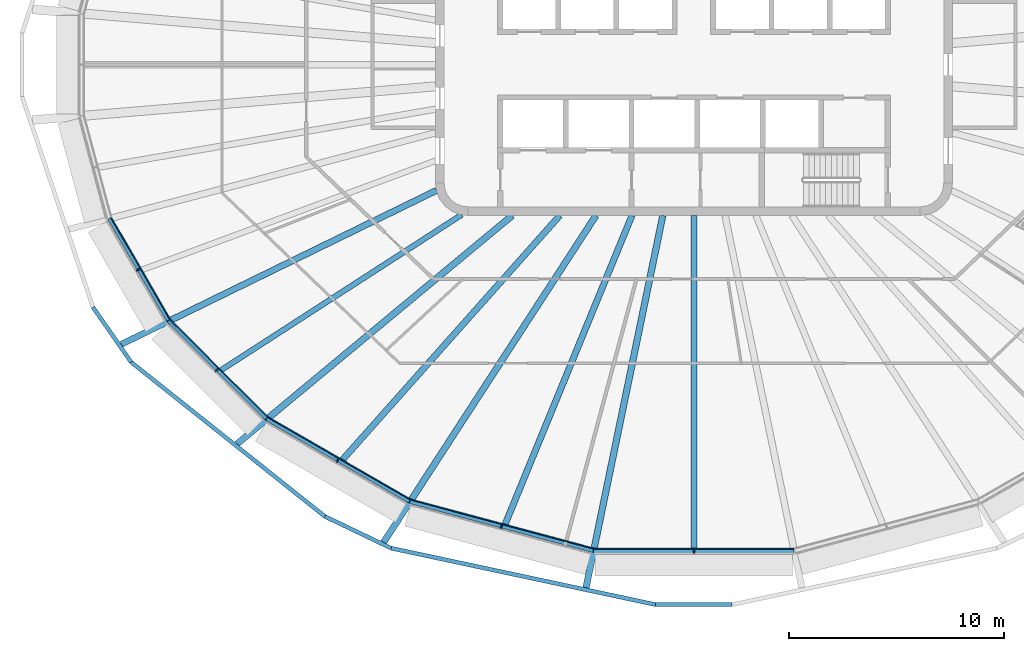
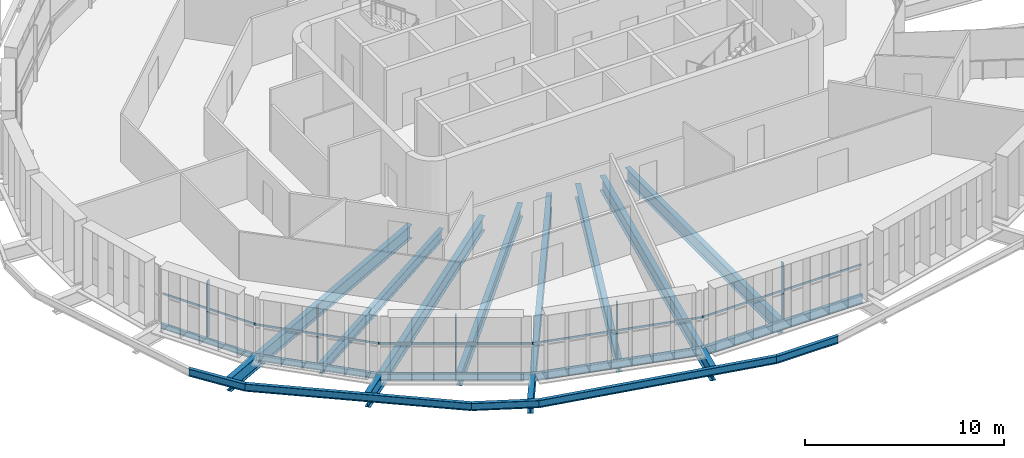
# One storey, part 1 of 19: 18 beams, 10 members, 5 elements without a shape of their own.
"""IFC4 building model written with IfcOpenShell, lengths in metres."""

from ifc_helpers import new_model, si_unit, direction, frame, origin, origin_2d, place, context, subcontext, project, spatial, rectangle, i_section, extrude, material, layer, layer_set, material_profile, profile_set, type_object, element, aggregate, save


model = new_model("IFC4")

# Units and contexts
model_context = context("Model", 3, precision=1e-05, world=origin(), true_north=direction((0.0, 1.0)))
body_context = subcontext(model_context, "Body", "Model", "MODEL_VIEW")
ifc_project = project(units=[si_unit("LENGTHUNIT", "METRE"), si_unit("AREAUNIT", "SQUARE_METRE"), si_unit("VOLUMEUNIT", "CUBIC_METRE"), si_unit("PLANEANGLEUNIT", "RADIAN"), si_unit("MASSUNIT", "GRAM", prefix="KILO")], contexts=[model_context])

# Site, building, storey
site_placement = place(None, origin())
site = spatial("IfcSite", under=ifc_project, at=site_placement, CompositionType="ELEMENT")
building_placement = place(site_placement, origin())
building = spatial("IfcBuilding", under=site, at=building_placement, Name="Sahrelin Media Tower", CompositionType="ELEMENT")
storey_placement = place(building_placement, frame((0.0, 0.0, 287.0)))
storey = spatial("IfcBuildingStorey", under=building, at=storey_placement, Name="L63", CompositionType="ELEMENT", Elevation=287.0)

# Beams
ifc_material_1 = material(Name="Steel S355", Category="steel")
ifc_material_profile_1 = material_profile(ifc_material_1, i_section(OverallWidth=0.1650390625, OverallDepth=0.303466796875, WebThickness=0.006103515625, FlangeThickness=0.01025390625, FilletRadius=0.0087890625, at=origin_2d()), Name="UB 305x165x40")
ifc_profile_set_1 = profile_set([ifc_material_profile_1], Name="Steel S355")
beam_type_1 = type_object("IfcBeamType", Name="Edge beam EB2", PredefinedType="BEAM", material=ifc_profile_set_1)
beam_1_placement = place(storey_placement, frame((-24.40625, -11.86865234375, -0.3017578125), z_axis=(-0.500030911274, 0.866007556416, 0.0), x_axis=(-0.866007556416, -0.500030911274, 0.0)))
element("IfcBeam", 1, at=beam_1_placement, inside=storey, type_object=beam_type_1, Name="Edge beam L63-08", PredefinedType="BEAM", context=body_context, shape_type="SweptSolid", body=[
    extrude(i_section(OverallWidth=0.1650390625, OverallDepth=0.303466796875, WebThickness=0.006103515625, FlangeThickness=0.01025390625, FilletRadius=0.0087890625, at=origin_2d()), origin(), (0.0, 0.0, 1.0), 5.458251953125),
])
ifc_material_profile_2 = material_profile(ifc_material_1, i_section(OverallWidth=0.17138671875, OverallDepth=0.35498046875, WebThickness=0.00732421875, FlangeThickness=0.011474609375, FilletRadius=0.01025390625, at=origin_2d()), Name="UB 356x171x51")
ifc_profile_set_2 = profile_set([ifc_material_profile_2], Name="Steel S355")
beam_type_2 = type_object("IfcBeamType", Name="Edge beam EB3", PredefinedType="BEAM", material=ifc_profile_set_2)
beam_2_placement = place(storey_placement, frame((-19.8583984375, -16.422119140625, -0.327392578125), z_axis=(-0.707106781187, 0.707106781187, 0.0), x_axis=(-0.707106781187, -0.707106781187, 0.0)))
element("IfcBeam", 2, at=beam_2_placement, inside=storey, type_object=beam_type_2, Name="Edge beam L63-07", PredefinedType="BEAM", context=body_context, shape_type="SweptSolid", body=[
    extrude(i_section(OverallWidth=0.17138671875, OverallDepth=0.35498046875, WebThickness=0.00732421875, FlangeThickness=0.011474609375, FilletRadius=0.01025390625, at=origin_2d()), origin(), (0.0, 0.0, 1.0), 6.4072265625),
])
ifc_material_profile_3 = material_profile(ifc_material_1, i_section(OverallWidth=0.177978515625, OverallDepth=0.406494140625, WebThickness=0.0078125, FlangeThickness=0.0126953125, FilletRadius=0.01025390625, at=origin_2d()), Name="UB 406x178x60")
ifc_profile_set_3 = profile_set([ifc_material_profile_3], Name="Steel S355")
beam_type_3 = type_object("IfcBeamType", Name="Edge beam EB4", PredefinedType="BEAM", material=ifc_profile_set_3)
beam_3_placement = place(storey_placement, frame((-13.214111328125, -20.262451171875, -0.353271484375), z_axis=(-0.866029782078, 0.499992416496, 0.0), x_axis=(-0.499992416496, -0.866029782078, 0.0)))
element("IfcBeam", 3, at=beam_3_placement, inside=storey, type_object=beam_type_3, Name="Edge beam L63-06", PredefinedType="BEAM", context=body_context, shape_type="SweptSolid", body=[
    extrude(i_section(OverallWidth=0.177978515625, OverallDepth=0.406494140625, WebThickness=0.0078125, FlangeThickness=0.0126953125, FilletRadius=0.01025390625, at=origin_2d()), origin(), (0.0, 0.0, 1.0), 7.6455078125),
])
ifc_material_profile_4 = material_profile(ifc_material_1, i_section(OverallWidth=0.1904296875, OverallDepth=0.45703125, WebThickness=0.009033203125, FlangeThickness=0.014404296875, FilletRadius=0.01025390625, at=origin_2d()), Name="UB 457x191x74")
ifc_profile_set_4 = profile_set([ifc_material_profile_4], Name="Steel S355")
beam_type_4 = type_object("IfcBeamType", Name="Edge beam EB5", PredefinedType="BEAM", material=ifc_profile_set_4)
beam_4_placement = place(storey_placement, frame((-4.679931640625, -22.552978515625, -0.37841796875), z_axis=(-0.965927388996, 0.258813212932, 0.0), x_axis=(-0.258813212932, -0.965927388996, 0.0)))
element("IfcBeam", 4, at=beam_4_placement, inside=storey, type_object=beam_type_4, Name="Edge beam L63-05", PredefinedType="BEAM", context=body_context, shape_type="SweptSolid", body=[
    extrude(i_section(OverallWidth=0.1904296875, OverallDepth=0.45703125, WebThickness=0.009033203125, FlangeThickness=0.014404296875, FilletRadius=0.01025390625, at=origin_2d()), origin(), (0.0, 0.0, 1.0), 8.8076171875),
])
ifc_material_profile_5 = material_profile(ifc_material_1, i_section(OverallWidth=0.208740234375, OverallDepth=0.5283203125, WebThickness=0.009521484375, FlangeThickness=0.01318359375, FilletRadius=0.0126953125, at=origin_2d()), Name="UB 533x210x82")
ifc_profile_set_5 = profile_set([ifc_material_profile_5], Name="Steel S355")
beam_type_5 = type_object("IfcBeamType", Name="Edge beam EB6", PredefinedType="BEAM", material=ifc_profile_set_5)
beam_5_placement = place(storey_placement, frame((4.6513671875, -22.556884765625, -0.4140625), z_axis=(-1.0, 0.0, 0.0), x_axis=(0.0, -1.0, 0.0)))
element("IfcBeam", 5, at=beam_5_placement, inside=storey, type_object=beam_type_5, Name="Edge beam L63-04", PredefinedType="BEAM", context=body_context, shape_type="SweptSolid", body=[
    extrude(i_section(OverallWidth=0.208740234375, OverallDepth=0.5283203125, WebThickness=0.009521484375, FlangeThickness=0.01318359375, FilletRadius=0.0126953125, at=origin_2d()), origin(), (0.0, 0.0, 1.0), 9.302734375),
])

# Curtain wall, member
ifc_material_2 = material(Name="Champagne anodised aluminium 6063-T6", Category="aluminium")
ifc_layer = layer(ifc_material_2, 0.14990234375)
ifc_layer_set = layer_set([ifc_layer], Name="Tower ribbon curtain wall")
curtain_wall_type = type_object("IfcCurtainWallType", Name="Tower ribbon curtain wall", PredefinedType="NOTDEFINED", material=ifc_layer_set)
curtain_wall_1_placement = place(storey_placement, frame((-25.900634765625, -9.580078125, 0.0), z_axis=(0.0, 0.0, 1.0), x_axis=(1.0, 0.0, 0.0)))
curtain_wall_1 = element("IfcCurtainWall", 6, at=curtain_wall_1_placement, inside=storey, type_object=curtain_wall_type, Name="L63:CW:L63-14", PredefinedType="NOTDEFINED")
ifc_material_profile_6 = material_profile(ifc_material_2, rectangle(XDim=0.06005859375, YDim=0.199951171875, at=origin_2d()), Name="Mullion 60x200")
ifc_profile_set_6 = profile_set([ifc_material_profile_6], Name="Champagne anodised aluminium 6063-T6")
member_type_1 = type_object("IfcMemberType", Name="Mullion 60x200 CW1C", PredefinedType="MULLION", material=ifc_profile_set_6)
member_1_placement = place(storey_placement, frame((-25.796875, -9.520263671875, 0.0), z_axis=(0.0, 0.0, 1.0), x_axis=(0.500006045986, -0.866021913105, 0.0)))
member_1 = element("IfcMember", 7, at=member_1_placement, type_object=member_type_1, Name="L63:CWM:L63-14", PredefinedType="MULLION", context=body_context, shape_type="SweptSolid", body=[
    extrude(rectangle(XDim=0.06005859375, YDim=0.199951171875, at=origin_2d()), origin(), (0.0, 0.0, 1.0), 3.448486328125),
])

curtain_wall_2_placement = place(storey_placement, frame((-22.2294921875, -14.2626953125, 0.0), z_axis=(0.0, 0.0, 1.0), x_axis=(1.0, 0.0, 0.0)))
curtain_wall_2 = element("IfcCurtainWall", 8, at=curtain_wall_2_placement, inside=storey, type_object=curtain_wall_type, Name="L63:CW:L63-15", PredefinedType="NOTDEFINED")
member_2_placement = place(storey_placement, frame((-22.144775390625, -14.177978515625, 0.0), z_axis=(0.0, 0.0, 1.0), x_axis=(0.707099376343, -0.707114185953, 0.0)))
member_2 = element("IfcMember", 9, at=member_2_placement, type_object=member_type_1, Name="L63:CWM:L63-15", PredefinedType="MULLION", context=body_context, shape_type="SweptSolid", body=[
    extrude(rectangle(XDim=0.06005859375, YDim=0.199951171875, at=origin_2d()), origin(), (0.0, 0.0, 1.0), 3.448486328125),
])

curtain_wall_3_placement = place(storey_placement, frame((-16.599853515625, -18.48095703125, 0.0), z_axis=(0.0, 0.0, 1.0), x_axis=(1.0, 0.0, 0.0)))
curtain_wall_3 = element("IfcCurtainWall", 10, at=curtain_wall_3_placement, inside=storey, type_object=curtain_wall_type, Name="L63:CW:L63-16", PredefinedType="NOTDEFINED")
member_3_placement = place(storey_placement, frame((-16.539794921875, -18.376953125, 0.0), z_axis=(0.0, 0.0, 1.0), x_axis=(0.866025403784, -0.5, 0.0)))
member_3 = element("IfcMember", 11, at=member_3_placement, type_object=member_type_1, Name="L63:CWM:L63-16", PredefinedType="MULLION", context=body_context, shape_type="SweptSolid", body=[
    extrude(rectangle(XDim=0.06005859375, YDim=0.199951171875, at=origin_2d()), origin(), (0.0, 0.0, 1.0), 3.448486328125),
])

curtain_wall_4_placement = place(storey_placement, frame((-8.972412109375, -21.55810546875, 0.0), z_axis=(0.0, 0.0, 1.0), x_axis=(1.0, 0.0, 0.0)))
curtain_wall_4 = element("IfcCurtainWall", 12, at=curtain_wall_4_placement, inside=storey, type_object=curtain_wall_type, Name="L63:CW:L63-17", PredefinedType="NOTDEFINED")
member_4_placement = place(storey_placement, frame((-8.94140625, -21.442138671875, 0.0), z_axis=(0.0, 0.0, 1.0), x_axis=(0.965927181449, -0.258813987523, 0.0)))
member_4 = element("IfcMember", 13, at=member_4_placement, type_object=member_type_1, Name="L63:CWM:L63-17", PredefinedType="MULLION", context=body_context, shape_type="SweptSolid", body=[
    extrude(rectangle(XDim=0.06005859375, YDim=0.199951171875, at=origin_2d()), origin(), (0.0, 0.0, 1.0), 3.448486328125),
])

curtain_wall_5_placement = place(storey_placement, frame((0.0, -22.706787109375, 0.0), z_axis=(0.0, 0.0, 1.0), x_axis=(1.0, 0.0, 0.0)))
curtain_wall_5 = element("IfcCurtainWall", 14, at=curtain_wall_5_placement, inside=storey, type_object=curtain_wall_type, Name="L63:CW:L63-18", PredefinedType="NOTDEFINED")
member_5_placement = place(storey_placement, frame((0.0, -22.5869140625, 0.0), z_axis=(0.0, 0.0, 1.0), x_axis=(1.0, 0.0, 0.0)))
member_5 = element("IfcMember", 15, at=member_5_placement, type_object=member_type_1, Name="L63:CWM:L63-18", PredefinedType="MULLION", context=body_context, shape_type="SweptSolid", body=[
    extrude(rectangle(XDim=0.06005859375, YDim=0.199951171875, at=origin_2d()), origin(), (0.0, 0.0, 1.0), 3.448486328125),
])

# Beams
ifc_material_profile_7 = material_profile(ifc_material_1, i_section(OverallWidth=0.291748046875, OverallDepth=0.8349609375, WebThickness=0.013916015625, FlangeThickness=0.018798828125, FilletRadius=0.017822265625, at=origin_2d()), Name="UB 838x292x176")
ifc_profile_set_7 = profile_set([ifc_material_profile_7], Name="Steel S355")
beam_type_6 = type_object("IfcBeamType", Name="Radial primary beam PB10", PredefinedType="BEAM", material=ifc_profile_set_7)
beam_6_placement = place(storey_placement, frame((-11.95556640625, -5.838134765625, -0.5673828125), z_axis=(-0.898580717158, -0.438808266504, 0.0), x_axis=(0.438808266504, -0.898580717158, 0.0)))
element("IfcBeam", 16, at=beam_6_placement, inside=storey, type_object=beam_type_6, Name="Radial beam L63-15", PredefinedType="BEAM", context=body_context, shape_type="SweptSolid", body=[
    extrude(i_section(OverallWidth=0.291748046875, OverallDepth=0.8349609375, WebThickness=0.013916015625, FlangeThickness=0.018798828125, FilletRadius=0.017822265625, at=origin_2d()), origin(), (0.0, 0.0, 1.0), 16.280517578125),
])
ifc_material_profile_8 = material_profile(ifc_material_1, i_section(OverallWidth=0.30322265625, OverallDepth=0.903076171875, WebThickness=0.01513671875, FlangeThickness=0.020263671875, FilletRadius=0.01904296875, at=origin_2d()), Name="UB 914x305x201")
ifc_profile_set_8 = profile_set([ifc_material_profile_8], Name="Steel S355")
beam_type_7 = type_object("IfcBeamType", Name="Radial primary beam PB11", PredefinedType="BEAM", material=ifc_profile_set_8)
beam_7_placement = place(storey_placement, frame((-8.4326171875, -7.0, -0.6015625), z_axis=(-0.769442063394, -0.638716612498, 0.0), x_axis=(0.638716612498, -0.769442063394, 0.0)))
element("IfcBeam", 17, at=beam_7_placement, inside=storey, type_object=beam_type_7, Name="Radial beam L63-16", PredefinedType="BEAM", context=body_context, shape_type="SweptSolid", body=[
    extrude(i_section(OverallWidth=0.30322265625, OverallDepth=0.903076171875, WebThickness=0.01513671875, FlangeThickness=0.020263671875, FilletRadius=0.01904296875, at=origin_2d()), origin(), (0.0, 0.0, 1.0), 16.602783203125),
])
beam_8_placement = place(storey_placement, frame((-4.547607421875, -7.0, -0.6015625), z_axis=(-0.544800537229, -0.83856566507, 0.0), x_axis=(0.83856566507, -0.544800537229, 0.0)))
element("IfcBeam", 18, at=beam_8_placement, inside=storey, type_object=beam_type_7, Name="Radial beam L63-17", PredefinedType="BEAM", context=body_context, shape_type="SweptSolid", body=[
    extrude(i_section(OverallWidth=0.30322265625, OverallDepth=0.903076171875, WebThickness=0.01513671875, FlangeThickness=0.020263671875, FilletRadius=0.01904296875, at=origin_2d()), origin(), (0.0, 0.0, 1.0), 18.094970703125),
])
beam_9_placement = place(storey_placement, frame((-1.444580078125, -7.0, -0.6015625), z_axis=(-0.202083944473, -0.979368204194, 0.0), x_axis=(0.979368204194, -0.202083944473, 0.0)))
element("IfcBeam", 19, at=beam_9_placement, inside=storey, type_object=beam_type_7, Name="Radial beam L63-18", PredefinedType="BEAM", context=body_context, shape_type="SweptSolid", body=[
    extrude(i_section(OverallWidth=0.30322265625, OverallDepth=0.903076171875, WebThickness=0.01513671875, FlangeThickness=0.020263671875, FilletRadius=0.01904296875, at=origin_2d()), origin(), (0.0, 0.0, 1.0), 17.643310546875),
])
ifc_material_profile_9 = material_profile(ifc_material_1, i_section(OverallWidth=0.291748046875, OverallDepth=0.8349609375, WebThickness=0.013916015625, FlangeThickness=0.018798828125, FilletRadius=0.017822265625, at=origin_2d()), Name="UB 838x292x176")
ifc_profile_set_9 = profile_set([ifc_material_profile_9], Name="Steel S355")
beam_type_8 = type_object("IfcBeamType", Name="Radial secondary beam SB10", PredefinedType="BEAM", material=ifc_profile_set_9)
beam_10_placement = place(storey_placement, frame((-6.227294921875, -7.0, -0.5673828125), z_axis=(-0.664674753745, -0.747132834062, 0.0), x_axis=(0.747132834062, -0.664674753745, 0.0)))
element("IfcBeam", 20, at=beam_10_placement, inside=storey, type_object=beam_type_8, Name="Secondary beam L63-15", PredefinedType="BEAM", context=body_context, shape_type="SweptSolid", body=[
    extrude(i_section(OverallWidth=0.291748046875, OverallDepth=0.8349609375, WebThickness=0.013916015625, FlangeThickness=0.018798828125, FilletRadius=0.017822265625, at=origin_2d()), origin(), (0.0, 0.0, 1.0), 15.20361328125),
])
beam_11_placement = place(storey_placement, frame((-2.8759765625, -7.0, -0.5673828125), z_axis=(-0.380009216923, -0.924982699867, 0.0), x_axis=(0.924982699867, -0.380009216923, 0.0)))
element("IfcBeam", 21, at=beam_11_placement, inside=storey, type_object=beam_type_8, Name="Secondary beam L63-16", PredefinedType="BEAM", context=body_context, shape_type="SweptSolid", body=[
    extrude(i_section(OverallWidth=0.291748046875, OverallDepth=0.8349609375, WebThickness=0.013916015625, FlangeThickness=0.018798828125, FilletRadius=0.017822265625, at=origin_2d()), origin(), (0.0, 0.0, 1.0), 15.521728515625),
])
beam_12_placement = place(storey_placement, frame((0.0, -7.0, -0.5673828125), z_axis=(0.0, -1.0, 0.0), x_axis=(1.0, 0.0, 0.0)))
element("IfcBeam", 22, at=beam_12_placement, inside=storey, type_object=beam_type_8, Name="Secondary beam L63-17", PredefinedType="BEAM", context=body_context, shape_type="SweptSolid", body=[
    extrude(i_section(OverallWidth=0.291748046875, OverallDepth=0.8349609375, WebThickness=0.013916015625, FlangeThickness=0.018798828125, FilletRadius=0.017822265625, at=origin_2d()), origin(), (0.0, 0.0, 1.0), 15.452392578125),
])
ifc_material_profile_10 = material_profile(ifc_material_1, i_section(OverallWidth=0.2529296875, OverallDepth=0.677978515625, WebThickness=0.01171875, FlangeThickness=0.01611328125, FilletRadius=0.01513671875, at=origin_2d()), Name="UB 686x254x125")
ifc_profile_set_10 = profile_set([ifc_material_profile_10], Name="Steel S355")
beam_type_9 = type_object("IfcBeamType", Name="Radial secondary beam SB8", PredefinedType="BEAM", material=ifc_profile_set_10)
beam_13_placement = place(storey_placement, frame((-10.779296875, -6.963134765625, -0.489013671875), z_axis=(-0.839980030841, -0.542617312467, 0.0), x_axis=(0.542617312467, -0.839980030841, 0.0)))
element("IfcBeam", 23, at=beam_13_placement, inside=storey, type_object=beam_type_9, Name="Secondary beam L63-14", PredefinedType="BEAM", context=body_context, shape_type="SweptSolid", body=[
    extrude(i_section(OverallWidth=0.2529296875, OverallDepth=0.677978515625, WebThickness=0.01171875, FlangeThickness=0.01611328125, FilletRadius=0.01513671875, at=origin_2d()), origin(), (0.0, 0.0, 1.0), 13.3203125),
])
ifc_material_profile_11 = material_profile(ifc_material_1, i_section(OverallWidth=0.1904296875, OverallDepth=0.45703125, WebThickness=0.009033203125, FlangeThickness=0.014404296875, FilletRadius=0.01025390625, at=origin_2d()), Name="UB 457x191x74")
ifc_profile_set_11 = profile_set([ifc_material_profile_11], Name="Steel S355")
beam_type_10 = type_object("IfcBeamType", Name="Tie chord TC5", PredefinedType="BEAM", material=ifc_profile_set_11)
beam_14_placement = place(storey_placement, frame((-27.8994140625, -11.257080078125, -0.37841796875), z_axis=(0.570618018354, -0.821215609404, 0.0), x_axis=(0.821215609404, 0.570618018354, 0.0)))
element("IfcBeam", 24, at=beam_14_placement, inside=storey, type_object=beam_type_10, Name="Tie chord L63-14", PredefinedType="BEAM", context=body_context, shape_type="SweptSolid", body=[
    extrude(i_section(OverallWidth=0.1904296875, OverallDepth=0.45703125, WebThickness=0.009033203125, FlangeThickness=0.014404296875, FilletRadius=0.01025390625, at=origin_2d()), origin(), (0.0, 0.0, 1.0), 3.10888671875),
])
beam_15_placement = place(storey_placement, frame((-26.12548828125, -13.81005859375, -0.37841796875), z_axis=(0.782271520819, -0.622937611415, 0.0), x_axis=(0.622937611415, 0.782271520819, 0.0)))
element("IfcBeam", 25, at=beam_15_placement, inside=storey, type_object=beam_type_10, Name="Tie chord L63-15", PredefinedType="BEAM", context=body_context, shape_type="SweptSolid", body=[
    extrude(i_section(OverallWidth=0.1904296875, OverallDepth=0.45703125, WebThickness=0.009033203125, FlangeThickness=0.014404296875, FilletRadius=0.01025390625, at=origin_2d()), origin(), (0.0, 0.0, 1.0), 11.49658203125),
])
beam_16_placement = place(storey_placement, frame((-17.132080078125, -20.9716796875, -0.37841796875), z_axis=(0.90161470192, -0.432540089798, 0.0), x_axis=(0.432540089798, 0.90161470192, 0.0)))
element("IfcBeam", 26, at=beam_16_placement, inside=storey, type_object=beam_type_10, Name="Tie chord L63-16", PredefinedType="BEAM", context=body_context, shape_type="SweptSolid", body=[
    extrude(i_section(OverallWidth=0.1904296875, OverallDepth=0.45703125, WebThickness=0.009033203125, FlangeThickness=0.014404296875, FilletRadius=0.01025390625, at=origin_2d()), origin(), (0.0, 0.0, 1.0), 3.407958984375),
])
beam_17_placement = place(storey_placement, frame((-14.059326171875, -22.44580078125, -0.37841796875), z_axis=(0.97798945227, -0.208654334365, 0.0), x_axis=(0.208654334365, 0.97798945227, 0.0)))
element("IfcBeam", 27, at=beam_17_placement, inside=storey, type_object=beam_type_10, Name="Tie chord L63-17", PredefinedType="BEAM", context=body_context, shape_type="SweptSolid", body=[
    extrude(i_section(OverallWidth=0.1904296875, OverallDepth=0.45703125, WebThickness=0.009033203125, FlangeThickness=0.014404296875, FilletRadius=0.01025390625, at=origin_2d()), origin(), (0.0, 0.0, 1.0), 12.56201171875),
])
beam_18_placement = place(storey_placement, frame((-1.77392578125, -25.06689453125, -0.37841796875), z_axis=(1.0, 0.0, 0.0), x_axis=(0.0, 1.0, 0.0)))
element("IfcBeam", 28, at=beam_18_placement, inside=storey, type_object=beam_type_10, Name="Tie chord L63-18", PredefinedType="BEAM", context=body_context, shape_type="SweptSolid", body=[
    extrude(i_section(OverallWidth=0.1904296875, OverallDepth=0.45703125, WebThickness=0.009033203125, FlangeThickness=0.014404296875, FilletRadius=0.01025390625, at=origin_2d()), origin(), (0.0, 0.0, 1.0), 3.5478515625),
])

# Member
ifc_material_profile_12 = material_profile(ifc_material_2, rectangle(XDim=0.050048828125, YDim=0.1201171875, at=origin_2d()), Name="Transom 50x120")
ifc_profile_set_12 = profile_set([ifc_material_profile_12], Name="Champagne anodised aluminium 6063-T6")
member_type_2 = type_object("IfcMemberType", Name="Transom 50x120 CW1C", PredefinedType="USERDEFINED", material=ifc_profile_set_12)
member_6_placement = place(storey_placement, frame((-27.045166015625, -7.10791015625, 1.60009765625), z_axis=(0.500000246922, -0.866025261224, 0.0), x_axis=(0.866025261224, 0.500000246922, 0.0)))
member_6 = element("IfcMember", 29, at=member_6_placement, type_object=member_type_2, Name="L63:CWT:L63-14", ObjectType="TRANSOM", PredefinedType="USERDEFINED", context=body_context, shape_type="SweptSolid", body=[
    extrude(rectangle(XDim=0.050048828125, YDim=0.1201171875, at=origin_2d()), origin(), (0.0, 0.0, 1.0), 5.4267578125),
])

aggregate(curtain_wall_1, [member_1, member_6])

member_7_placement = place(storey_placement, frame((-24.310546875, -11.83544921875, 1.60009765625), z_axis=(0.707106781187, -0.707106781187, 0.0), x_axis=(0.707106781187, 0.707106781187, 0.0)))
member_7 = element("IfcMember", 30, at=member_7_placement, type_object=member_type_2, Name="L63:CWT:L63-15", ObjectType="TRANSOM", PredefinedType="USERDEFINED", context=body_context, shape_type="SweptSolid", body=[
    extrude(rectangle(XDim=0.050048828125, YDim=0.1201171875, at=origin_2d()), origin(), (0.0, 0.0, 1.0), 6.375732421875),
])

aggregate(curtain_wall_2, [member_2, member_7])

member_8_placement = place(storey_placement, frame((-19.7744140625, -16.365234375, 1.60009765625), z_axis=(0.866028607742, -0.499994450542, 0.0), x_axis=(0.499994450542, 0.866028607742, 0.0)))
member_8 = element("IfcMember", 31, at=member_8_placement, type_object=member_type_2, Name="L63:CWT:L63-16", ObjectType="TRANSOM", PredefinedType="USERDEFINED", context=body_context, shape_type="SweptSolid", body=[
    extrude(rectangle(XDim=0.050048828125, YDim=0.1201171875, at=origin_2d()), origin(), (0.0, 0.0, 1.0), 7.6142578125),
])

aggregate(curtain_wall_3, [member_3, member_8])

member_9_placement = place(storey_placement, frame((-13.147705078125, -20.185791015625, 1.60009765625), z_axis=(0.965925824959, -0.258819050065, 0.0), x_axis=(0.258819050065, 0.965925824959, 0.0)))
member_9 = element("IfcMember", 32, at=member_9_placement, type_object=member_type_2, Name="L63:CWT:L63-17", ObjectType="TRANSOM", PredefinedType="USERDEFINED", context=body_context, shape_type="SweptSolid", body=[
    extrude(rectangle(XDim=0.050048828125, YDim=0.1201171875, at=origin_2d()), origin(), (0.0, 0.0, 1.0), 8.7763671875),
])

aggregate(curtain_wall_4, [member_4, member_9])

member_10_placement = place(storey_placement, frame((-4.635498046875, -22.4619140625, 1.60009765625), z_axis=(1.0, 0.0, 0.0), x_axis=(0.0, 1.0, 0.0)))
member_10 = element("IfcMember", 33, at=member_10_placement, type_object=member_type_2, Name="L63:CWT:L63-18", ObjectType="TRANSOM", PredefinedType="USERDEFINED", context=body_context, shape_type="SweptSolid", body=[
    extrude(rectangle(XDim=0.050048828125, YDim=0.1201171875, at=origin_2d()), origin(), (0.0, 0.0, 1.0), 9.27099609375),
])

aggregate(curtain_wall_5, [member_5, member_10])

save(model, "model.ifc")
